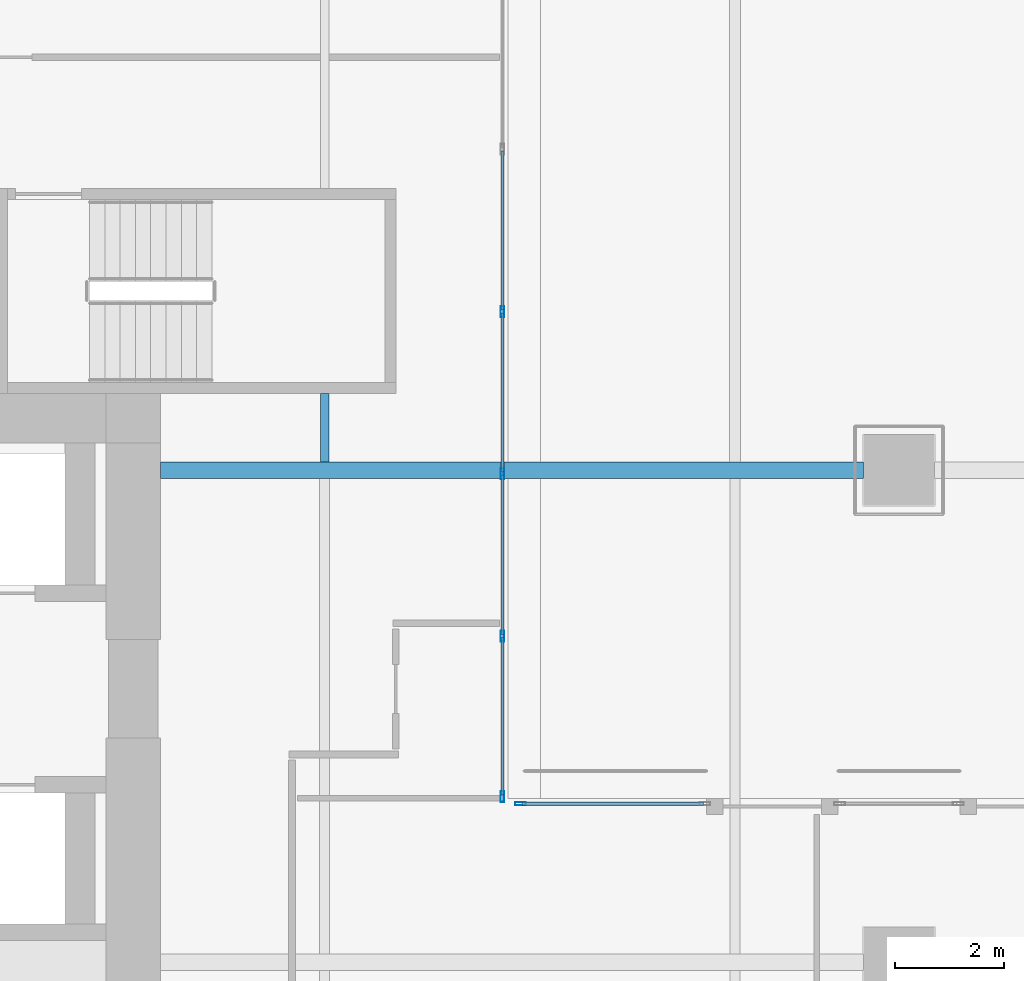
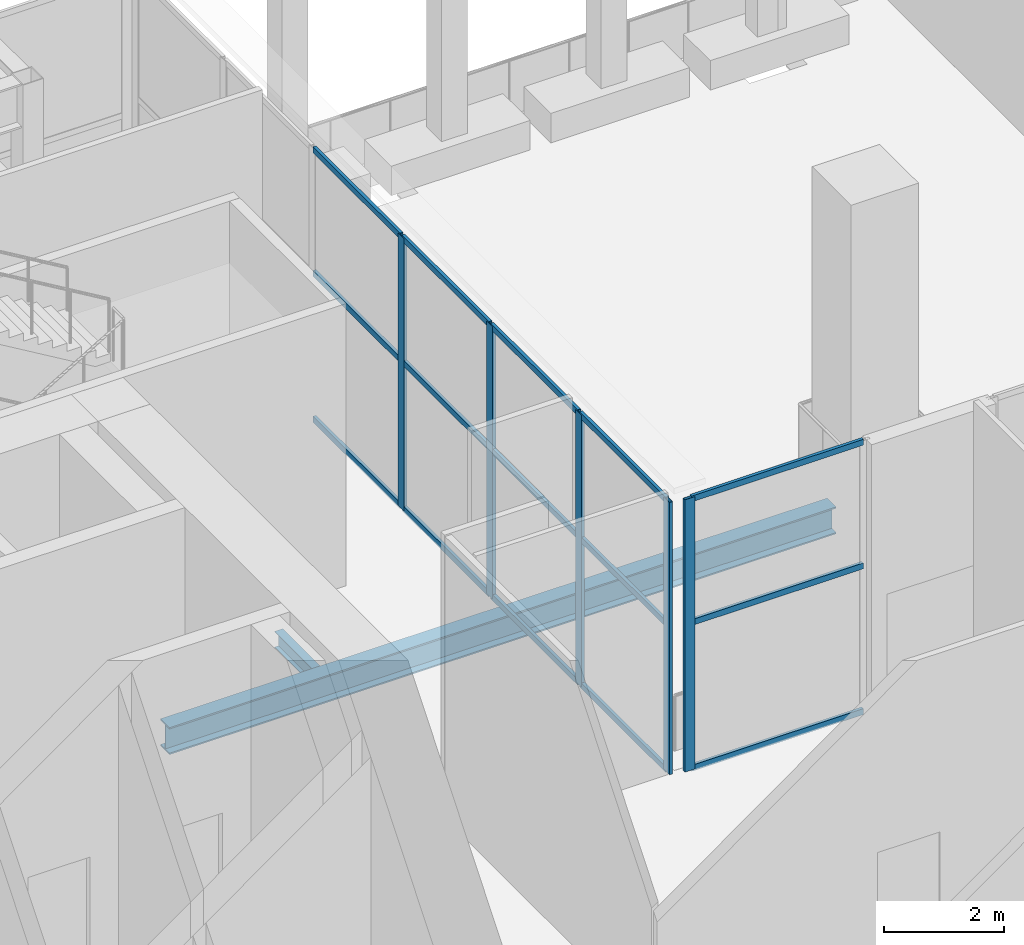
# One storey, part 20 of 47: 20 members, 2 beams, 2 elements without a shape of their own.
"""IFC4 building model written with IfcOpenShell, lengths in metres."""

from ifc_helpers import new_model, si_unit, direction, frame, origin, origin_2d, place, context, subcontext, project, spatial, hollow_rectangle, i_section, extrude, source, transform, mapped, material, material_profile, profile_set, type_object, element, aggregate, save


model = new_model("IFC4")

# Units and contexts
model_context = context("Model", 3, precision=1e-05, world=origin(), true_north=direction((0.0, 1.0)))
body_context = subcontext(model_context, "Body", "Model", "MODEL_VIEW")
ifc_project = project(units=[si_unit("LENGTHUNIT", "METRE"), si_unit("AREAUNIT", "SQUARE_METRE"), si_unit("VOLUMEUNIT", "CUBIC_METRE"), si_unit("PLANEANGLEUNIT", "RADIAN"), si_unit("MASSUNIT", "GRAM", prefix="KILO")], contexts=[model_context])

# Site, building, storey
site_placement = place(None, origin())
site = spatial("IfcSite", under=ifc_project, at=site_placement, CompositionType="ELEMENT")
building_placement = place(site_placement, origin())
building = spatial("IfcBuilding", under=site, at=building_placement, Name="Khomas Fold Tower", CompositionType="ELEMENT")
storey_placement = place(building_placement, frame((0.0, 0.0, 158.699951171875)))
storey = spatial("IfcBuildingStorey", under=building, at=storey_placement, Name="L34", CompositionType="ELEMENT", Elevation=158.699951171875)

# Beams
ifc_material_1 = material(Name="Steel S355", Category="steel")
ifc_material_profile_1 = material_profile(ifc_material_1, i_section(OverallWidth=0.159912109375, OverallDepth=0.330078125, WebThickness=0.007568359375, FlangeThickness=0.011474609375, at=origin_2d()), Name="IPE 330")
ifc_profile_set_1 = profile_set([ifc_material_profile_1], Name="Steel S355")
beam_type_1 = type_object("IfcBeamType", Name="IPE 330 beam JB1", PredefinedType="BEAM", material=ifc_profile_set_1)
shared_shape_1 = source(origin(), body_context, "Body", "SweptSolid", [
    extrude(i_section(OverallWidth=0.159912109375, OverallDepth=0.330078125, WebThickness=0.007568359375, FlangeThickness=0.011474609375, at=origin_2d()), origin(), (0.0, 0.0, 1.0), 1.25),
])
beam_1_placement = place(storey_placement, frame((27.0, 40.64990234375, -0.614990234375), z_axis=(0.0, 1.0, 0.0), x_axis=(-1.0, 0.0, 0.0)))
element("IfcBeam", 1, at=beam_1_placement, inside=storey, type_object=beam_type_1, Name="JB1", PredefinedType="BEAM", context=body_context, shape_type="MappedRepresentation", body=[
    mapped(shared_shape_1, transform((0.0, 0.0, 0.0))),
])
ifc_material_2 = material(Name="Steel S355", Category="steel")
ifc_material_profile_2 = material_profile(ifc_material_2, i_section(OverallWidth=0.300048828125, OverallDepth=0.550048828125, WebThickness=0.014892578125, FlangeThickness=0.029052734375, at=origin_2d()), Name="HE 550 B")
ifc_profile_set_2 = profile_set([ifc_material_profile_2], Name="Steel S355")
beam_type_2 = type_object("IfcBeamType", Name="HE 550 B beam GB4", PredefinedType="BEAM", material=ifc_profile_set_2)
shared_shape_2 = source(origin(), body_context, "Body", "SweptSolid", [
    extrude(i_section(OverallWidth=0.300048828125, OverallDepth=0.550048828125, WebThickness=0.014892578125, FlangeThickness=0.029052734375, at=origin_2d()), origin(), (0.0, 0.0, 1.0), 12.85009765625),
])
beam_2_placement = place(storey_placement, frame((24.0, 40.5, -0.724853515625), z_axis=(1.0, 0.0, 0.0), x_axis=(0.0, 1.0, 0.0)))
element("IfcBeam", 2, at=beam_2_placement, inside=storey, type_object=beam_type_2, Name="GB4", PredefinedType="BEAM", context=body_context, shape_type="MappedRepresentation", body=[
    mapped(shared_shape_2, transform((0.0, 0.0, 0.0))),
])

# Curtain wall, member
ifc_material_3 = material(Name="Aluminium framed double glazing", Category="aluminium")
curtain_wall_type = type_object("IfcCurtainWallType", Name="Notch glazing GN-CW", PredefinedType="NOTDEFINED", material=ifc_material_3)
curtain_wall_1_placement = place(storey_placement, origin())
curtain_wall_1 = element("IfcCurtainWall", 3, at=curtain_wall_1_placement, inside=storey, type_object=curtain_wall_type, Name="Notch glazing run", PredefinedType="NOTDEFINED")
ifc_material_4 = material(Name="Aluminium", Category="aluminium")
ifc_material_profile_3 = material_profile(ifc_material_4, hollow_rectangle(XDim=0.06005859375, YDim=0.199951171875, WallThickness=0.00390625, at=origin_2d()), Name="Notch glazing mullion GN-CW-M")
ifc_profile_set_3 = profile_set([ifc_material_profile_3], Name="Aluminium")
member_type_1 = type_object("IfcMemberType", Name="Notch glazing mullion GN-CW-M", PredefinedType="MULLION", material=ifc_profile_set_3)
shared_shape_3 = source(origin(), body_context, "Body", "SweptSolid", [
    extrude(hollow_rectangle(XDim=0.06005859375, YDim=0.199951171875, WallThickness=0.00390625, at=origin_2d()), origin(), (0.0, 0.0, 1.0), 5.550048828125),
])
member_1_placement = place(storey_placement, frame((30.580078125, 34.39990234375, 0.0), z_axis=(0.0, 0.0, 1.0), x_axis=(0.0, -1.0, 0.0)))
member_1 = element("IfcMember", 4, at=member_1_placement, type_object=member_type_1, Name="GN-CW mullion 2", PredefinedType="MULLION", context=body_context, shape_type="MappedRepresentation", body=[
    mapped(shared_shape_3, transform((0.0, 0.0, 0.0))),
])

# Curtain wall, members
curtain_wall_2_placement = place(storey_placement, origin())
curtain_wall_2 = element("IfcCurtainWall", 5, at=curtain_wall_2_placement, inside=storey, type_object=curtain_wall_type, Name="Notch glazing run", PredefinedType="NOTDEFINED")
member_2_placement = place(storey_placement, frame((30.25, 34.530029296875, 0.0), z_axis=(0.0, 0.0, 1.0), x_axis=(-1.0, 0.0, 0.0)))
member_2 = element("IfcMember", 6, at=member_2_placement, type_object=member_type_1, Name="GN-CW mullion 1", PredefinedType="MULLION", context=body_context, shape_type="MappedRepresentation", body=[
    mapped(shared_shape_3, transform((0.0, 0.0, 0.0))),
])
member_3_placement = place(storey_placement, frame((30.25, 37.466552734375, 0.0), z_axis=(0.0, 0.0, 1.0), x_axis=(-1.0, 0.0, 0.0)))
member_3 = element("IfcMember", 7, at=member_3_placement, type_object=member_type_1, Name="GN-CW mullion 2", PredefinedType="MULLION", context=body_context, shape_type="MappedRepresentation", body=[
    mapped(shared_shape_3, transform((0.0, 0.0, 0.0))),
])
member_4_placement = place(storey_placement, frame((30.25, 40.433349609375, 0.0), z_axis=(0.0, 0.0, 1.0), x_axis=(-1.0, 0.0, 0.0)))
member_4 = element("IfcMember", 8, at=member_4_placement, type_object=member_type_1, Name="GN-CW mullion 3", PredefinedType="MULLION", context=body_context, shape_type="MappedRepresentation", body=[
    mapped(shared_shape_3, transform((0.0, 0.0, 0.0))),
])
member_5_placement = place(storey_placement, frame((30.25, 43.39990234375, 0.0), z_axis=(0.0, 0.0, 1.0), x_axis=(-1.0, 0.0, 0.0)))
member_5 = element("IfcMember", 9, at=member_5_placement, type_object=member_type_1, Name="GN-CW mullion 4", PredefinedType="MULLION", context=body_context, shape_type="MappedRepresentation", body=[
    mapped(shared_shape_3, transform((0.0, 0.0, 0.0))),
])

# Member
ifc_material_5 = material(Name="Aluminium", Category="aluminium")
ifc_material_profile_4 = material_profile(ifc_material_5, hollow_rectangle(XDim=0.06005859375, YDim=0.1201171875, WallThickness=0.00390625, at=origin_2d()), Name="Notch glazing transom GN-CW-T")
ifc_profile_set_4 = profile_set([ifc_material_profile_4], Name="Aluminium")
member_type_2 = type_object("IfcMemberType", Name="Notch glazing transom GN-CW-T", PredefinedType="USERDEFINED", material=ifc_profile_set_4)
shared_shape_4 = source(origin(), body_context, "Body", "SweptSolid", [
    extrude(hollow_rectangle(XDim=0.06005859375, YDim=0.1201171875, WallThickness=0.00390625, at=origin_2d()), origin(), (0.0, 0.0, 1.0), 3.313232421875),
])
member_6_placement = place(storey_placement, frame((33.92333984375, 34.39990234375, 0.030029296875), z_axis=(-1.0, 0.0, 0.0), x_axis=(0.0, -1.0, 0.0)))
member_6 = element("IfcMember", 10, at=member_6_placement, type_object=member_type_2, Name="GN-CW transom 1.1", ObjectType="TRANSOM", PredefinedType="USERDEFINED", context=body_context, shape_type="MappedRepresentation", body=[
    mapped(shared_shape_4, transform((0.0, 0.0, 0.0))),
])

member_7_placement = place(storey_placement, frame((33.92333984375, 34.39990234375, 3.0), z_axis=(-1.0, 0.0, 0.0), x_axis=(0.0, -1.0, 0.0)))
member_7 = element("IfcMember", 11, at=member_7_placement, type_object=member_type_2, Name="GN-CW transom 1.2", ObjectType="TRANSOM", PredefinedType="USERDEFINED", context=body_context, shape_type="MappedRepresentation", body=[
    mapped(shared_shape_4, transform((0.0, 0.0, 0.0))),
])

member_8_placement = place(storey_placement, frame((33.92333984375, 34.39990234375, 5.52001953125), z_axis=(-1.0, 0.0, 0.0), x_axis=(0.0, -1.0, 0.0)))
member_8 = element("IfcMember", 12, at=member_8_placement, type_object=member_type_2, Name="GN-CW transom 1.3", ObjectType="TRANSOM", PredefinedType="USERDEFINED", context=body_context, shape_type="MappedRepresentation", body=[
    mapped(shared_shape_4, transform((0.0, 0.0, 0.0))),
])

aggregate(curtain_wall_1, [member_1, member_6, member_7, member_8])

shared_shape_5 = source(origin(), body_context, "Body", "SweptSolid", [
    extrude(hollow_rectangle(XDim=0.06005859375, YDim=0.1201171875, WallThickness=0.00390625, at=origin_2d()), origin(), (0.0, 0.0, 1.0), 2.876708984375),
])
member_9_placement = place(storey_placement, frame((30.25, 34.56005859375, 0.030029296875), z_axis=(0.0, 1.0, 0.0), x_axis=(-1.0, 0.0, 0.0)))
member_9 = element("IfcMember", 13, at=member_9_placement, type_object=member_type_2, Name="GN-CW transom 1.1", ObjectType="TRANSOM", PredefinedType="USERDEFINED", context=body_context, shape_type="MappedRepresentation", body=[
    mapped(shared_shape_5, transform((0.0, 0.0, 0.0))),
])

member_10_placement = place(storey_placement, frame((30.25, 34.56005859375, 3.0), z_axis=(0.0, 1.0, 0.0), x_axis=(-1.0, 0.0, 0.0)))
member_10 = element("IfcMember", 14, at=member_10_placement, type_object=member_type_2, Name="GN-CW transom 1.2", ObjectType="TRANSOM", PredefinedType="USERDEFINED", context=body_context, shape_type="MappedRepresentation", body=[
    mapped(shared_shape_5, transform((0.0, 0.0, 0.0))),
])

member_11_placement = place(storey_placement, frame((30.25, 34.56005859375, 5.52001953125), z_axis=(0.0, 1.0, 0.0), x_axis=(-1.0, 0.0, 0.0)))
member_11 = element("IfcMember", 15, at=member_11_placement, type_object=member_type_2, Name="GN-CW transom 1.3", ObjectType="TRANSOM", PredefinedType="USERDEFINED", context=body_context, shape_type="MappedRepresentation", body=[
    mapped(shared_shape_5, transform((0.0, 0.0, 0.0))),
])

shared_shape_6 = source(origin(), body_context, "Body", "SweptSolid", [
    extrude(hollow_rectangle(XDim=0.06005859375, YDim=0.1201171875, WallThickness=0.00390625, at=origin_2d()), origin(), (0.0, 0.0, 1.0), 2.90673828125),
])
member_12_placement = place(storey_placement, frame((30.25, 37.49658203125, 0.030029296875), z_axis=(0.0, 1.0, 0.0), x_axis=(-1.0, 0.0, 0.0)))
member_12 = element("IfcMember", 16, at=member_12_placement, type_object=member_type_2, Name="GN-CW transom 2.1", ObjectType="TRANSOM", PredefinedType="USERDEFINED", context=body_context, shape_type="MappedRepresentation", body=[
    mapped(shared_shape_6, transform((0.0, 0.0, 0.0))),
])

member_13_placement = place(storey_placement, frame((30.25, 37.49658203125, 3.0), z_axis=(0.0, 1.0, 0.0), x_axis=(-1.0, 0.0, 0.0)))
member_13 = element("IfcMember", 17, at=member_13_placement, type_object=member_type_2, Name="GN-CW transom 2.2", ObjectType="TRANSOM", PredefinedType="USERDEFINED", context=body_context, shape_type="MappedRepresentation", body=[
    mapped(shared_shape_6, transform((0.0, 0.0, 0.0))),
])

member_14_placement = place(storey_placement, frame((30.25, 37.49658203125, 5.52001953125), z_axis=(0.0, 1.0, 0.0), x_axis=(-1.0, 0.0, 0.0)))
member_14 = element("IfcMember", 18, at=member_14_placement, type_object=member_type_2, Name="GN-CW transom 2.3", ObjectType="TRANSOM", PredefinedType="USERDEFINED", context=body_context, shape_type="MappedRepresentation", body=[
    mapped(shared_shape_6, transform((0.0, 0.0, 0.0))),
])

member_15_placement = place(storey_placement, frame((30.25, 40.46337890625, 0.030029296875), z_axis=(0.0, 1.0, 0.0), x_axis=(-1.0, 0.0, 0.0)))
member_15 = element("IfcMember", 19, at=member_15_placement, type_object=member_type_2, Name="GN-CW transom 3.1", ObjectType="TRANSOM", PredefinedType="USERDEFINED", context=body_context, shape_type="MappedRepresentation", body=[
    mapped(shared_shape_6, transform((0.0, 0.0, 0.0))),
])

member_16_placement = place(storey_placement, frame((30.25, 40.46337890625, 3.0), z_axis=(0.0, 1.0, 0.0), x_axis=(-1.0, 0.0, 0.0)))
member_16 = element("IfcMember", 20, at=member_16_placement, type_object=member_type_2, Name="GN-CW transom 3.2", ObjectType="TRANSOM", PredefinedType="USERDEFINED", context=body_context, shape_type="MappedRepresentation", body=[
    mapped(shared_shape_6, transform((0.0, 0.0, 0.0))),
])

member_17_placement = place(storey_placement, frame((30.25, 40.46337890625, 5.52001953125), z_axis=(0.0, 1.0, 0.0), x_axis=(-1.0, 0.0, 0.0)))
member_17 = element("IfcMember", 21, at=member_17_placement, type_object=member_type_2, Name="GN-CW transom 3.3", ObjectType="TRANSOM", PredefinedType="USERDEFINED", context=body_context, shape_type="MappedRepresentation", body=[
    mapped(shared_shape_6, transform((0.0, 0.0, 0.0))),
])

member_18_placement = place(storey_placement, frame((30.25, 43.429931640625, 0.030029296875), z_axis=(0.0, 1.0, 0.0), x_axis=(-1.0, 0.0, 0.0)))
member_18 = element("IfcMember", 22, at=member_18_placement, type_object=member_type_2, Name="GN-CW transom 4.1", ObjectType="TRANSOM", PredefinedType="USERDEFINED", context=body_context, shape_type="MappedRepresentation", body=[
    mapped(shared_shape_6, transform((0.0, 0.0, 0.0))),
])

member_19_placement = place(storey_placement, frame((30.25, 43.429931640625, 3.0), z_axis=(0.0, 1.0, 0.0), x_axis=(-1.0, 0.0, 0.0)))
member_19 = element("IfcMember", 23, at=member_19_placement, type_object=member_type_2, Name="GN-CW transom 4.2", ObjectType="TRANSOM", PredefinedType="USERDEFINED", context=body_context, shape_type="MappedRepresentation", body=[
    mapped(shared_shape_6, transform((0.0, 0.0, 0.0))),
])

member_20_placement = place(storey_placement, frame((30.25, 43.429931640625, 5.52001953125), z_axis=(0.0, 1.0, 0.0), x_axis=(-1.0, 0.0, 0.0)))
member_20 = element("IfcMember", 24, at=member_20_placement, type_object=member_type_2, Name="GN-CW transom 4.3", ObjectType="TRANSOM", PredefinedType="USERDEFINED", context=body_context, shape_type="MappedRepresentation", body=[
    mapped(shared_shape_6, transform((0.0, 0.0, 0.0))),
])

aggregate(curtain_wall_2, [member_2, member_3, member_4, member_5, member_9, member_10, member_11, member_12, member_13, member_14, member_15, member_16, member_17, member_18, member_19, member_20])

save(model, "model.ifc")
